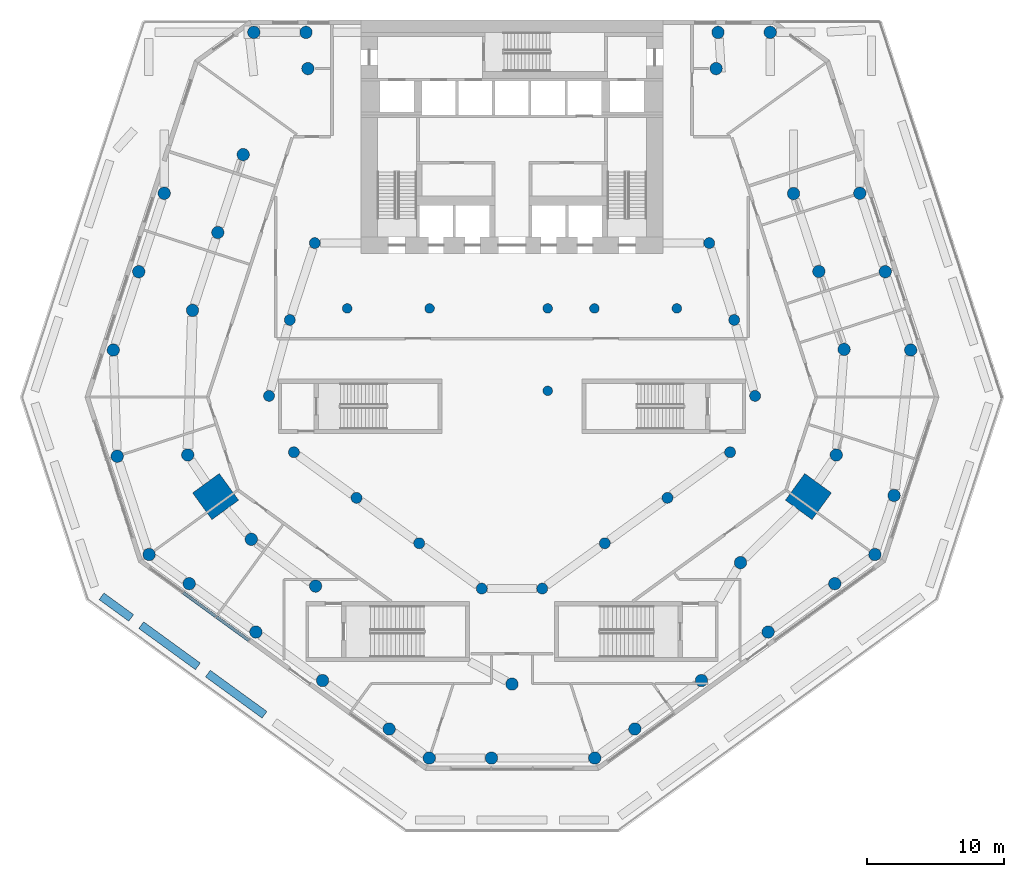
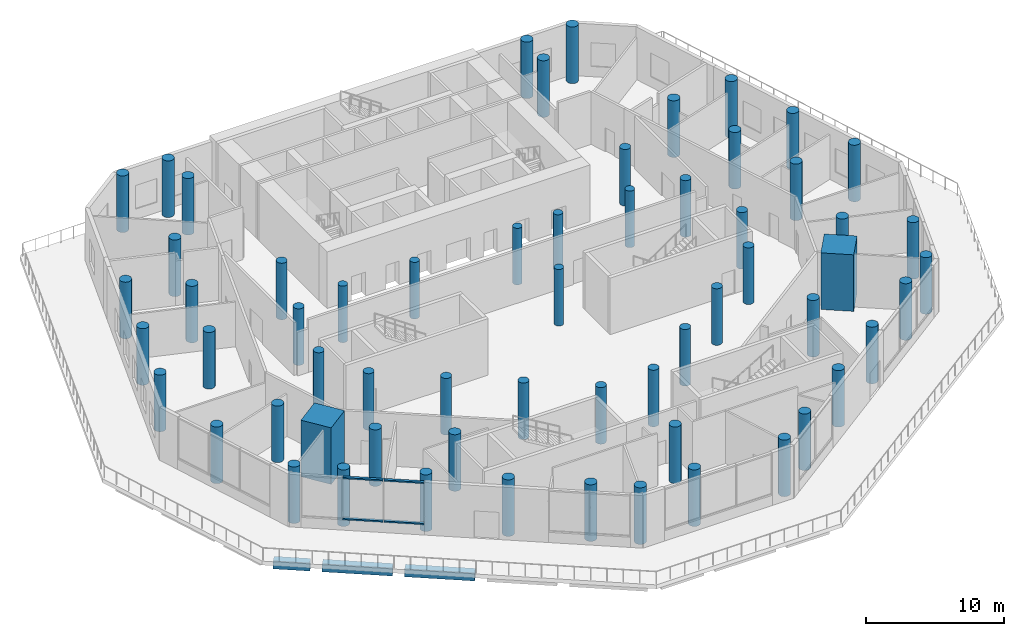
# One storey, part 1 of 19: 61 columns, 4 members, 3 beams, 1 element without a shape of its own.
"""IFC4 building model written with IfcOpenShell, lengths in metres."""

from ifc_helpers import new_model, si_unit, direction, frame, origin, origin_2d, place, context, subcontext, project, spatial, rectangle, circle, extrude, material, material_profile, profile_set, type_object, element, aggregate, save


model = new_model("IFC4")

# Units and contexts
model_context = context("Model", 3, precision=1e-05, world=origin(), true_north=direction((0.0, 1.0)))
body_context = subcontext(model_context, "Body", "Model", "MODEL_VIEW")
ifc_project = project(units=[si_unit("LENGTHUNIT", "METRE"), si_unit("AREAUNIT", "SQUARE_METRE"), si_unit("VOLUMEUNIT", "CUBIC_METRE"), si_unit("PLANEANGLEUNIT", "RADIAN"), si_unit("MASSUNIT", "GRAM", prefix="KILO")], contexts=[model_context])

# Site, building, storey
site_placement = place(None, origin())
site = spatial("IfcSite", under=ifc_project, at=site_placement, CompositionType="ELEMENT")
building_placement = place(site_placement, origin())
building = spatial("IfcBuilding", under=site, at=building_placement, Name="White Candle Pilgrim Tower", CompositionType="ELEMENT")
storey_placement = place(building_placement, frame((0.0, 0.0, 29.0)))
storey = spatial("IfcBuildingStorey", under=building, at=storey_placement, Name="L04", CompositionType="ELEMENT", Elevation=29.0)

# Columns
ifc_material_1 = material(Name="Concrete C80/95", Category="concrete")
ifc_material_profile_1 = material_profile(ifc_material_1, circle(Radius=0.35009765625, at=origin_2d()), Name="RC-COL D700")
ifc_profile_set_1 = profile_set([ifc_material_profile_1], Name="Concrete C80/95")
column_type_1 = type_object("IfcColumnType", Name="Interior column RC-COL D700 C80/95", PredefinedType="COLUMN", material=ifc_profile_set_1)
for number, where, z_axis, x_axis, name in (
    (1, (58.0, 67.0, 0.0), (0.0, 0.0, 1.0), (1.0, 0.0, 0.0), "L04 column I01"),
    (2, (64.0, 67.0, 0.0), (0.0, 0.0, 1.0), (1.0, 0.0, 0.0), "L04 column I02"),
    (3, (72.60009765625, 61.0, 0.0), (0.0, 0.0, 1.0), (1.0, 0.0, 0.0), "L04 column I03"),
    (4, (72.60009765625, 67.0, 0.0), (0.0, 0.0, 1.0), (1.0, 0.0, 0.0), "L04 column I04"),
    (5, (76.0, 67.0, 0.0), (0.0, 0.0, 1.0), (1.0, 0.0, 0.0), "L04 column I05"),
    (6, (82.0, 67.0, 0.0), (0.0, 0.0, 1.0), (1.0, 0.0, 0.0), "L04 column I06"),
):
    element("IfcColumn", number, at=place(storey_placement, frame(where, z_axis=z_axis, x_axis=x_axis)), inside=storey, type_object=column_type_1, Name=name, PredefinedType="COLUMN", context=body_context, shape_type="SweptSolid", body=[
        extrude(circle(Radius=0.35009765625, at=origin_2d()), origin(), (0.0, 0.0, 1.0), 5.0),
    ])
ifc_material_profile_2 = material_profile(ifc_material_1, rectangle(XDim=2.39990234375, YDim=2.39990234375, at=origin_2d()), Name="RC 2400x2400")
ifc_profile_set_2 = profile_set([ifc_material_profile_2], Name="Concrete C80/95")
column_type_2 = type_object("IfcColumnType", Name="Mega column RC 2400x2400 C80/95", PredefinedType="COLUMN", material=ifc_profile_set_2)
for number, where, z_axis, x_axis, name in (
    (7, (48.419921875, 53.300048828125, 0.0), (0.0, 0.0, 1.0), (-0.809016994375, -0.587785252292, 0.0), "L04 mega column T02"),
    (8, (91.580078125, 53.300048828125, 0.0), (0.0, 0.0, 1.0), (0.809016994375, -0.587785252292, 0.0), "L04 mega column T07"),
):
    element("IfcColumn", number, at=place(storey_placement, frame(where, z_axis=z_axis, x_axis=x_axis)), inside=storey, type_object=column_type_2, Name=name, PredefinedType="COLUMN", context=body_context, shape_type="SweptSolid", body=[
        extrude(rectangle(XDim=2.39990234375, YDim=2.39990234375, at=origin_2d()), origin(), (0.0, 0.0, 1.0), 5.0),
    ])
ifc_material_profile_3 = material_profile(ifc_material_1, circle(Radius=0.449951171875, at=origin_2d()), Name="RC-COL D900")
ifc_profile_set_3 = profile_set([ifc_material_profile_3], Name="Concrete C80/95")
column_type_3 = type_object("IfcColumnType", Name="Perimeter column RC-COL D900 C80/95", PredefinedType="COLUMN", material=ifc_profile_set_3)
for number, where, z_axis, x_axis, name in (
    (9, (46.389892578125, 56.330078125, 0.0), (0.0, 0.0, 1.0), (1.0, 0.0, 0.0), "L04 column T01"),
    (10, (51.02001953125, 50.18994140625, 0.0), (0.0, 0.0, 1.0), (1.0, 0.0, 0.0), "L04 column T03"),
    (11, (55.699951171875, 46.780029296875, 0.0), (0.0, 0.0, 1.0), (1.0, 0.0, 0.0), "L04 column T04"),
    (12, (70.0, 39.64990234375, 0.0), (0.0, 0.0, 1.0), (1.0, 0.0, 0.0), "L04 column T05"),
    (13, (86.639892578125, 48.489990234375, 0.0), (0.0, 0.0, 1.0), (1.0, 0.0, 0.0), "L04 column T06"),
    (14, (93.610107421875, 56.330078125, 0.0), (0.0, 0.0, 1.0), (1.0, 0.0, 0.0), "L04 column T08"),
    (15, (94.179931640625, 64.02001953125, 0.0), (0.0, 0.0, 1.0), (1.0, 0.0, 0.0), "L04 column T09"),
    (16, (92.340087890625, 69.68994140625, 0.0), (0.0, 0.0, 1.0), (1.0, 0.0, 0.0), "L04 column T10"),
    (17, (90.5, 75.360107421875, 0.0), (0.0, 0.0, 1.0), (1.0, 0.0, 0.0), "L04 column T11"),
    (18, (84.860107421875, 84.4599609375, 0.0), (0.0, 0.0, 1.0), (1.0, 0.0, 0.0), "L04 column T12"),
    (19, (55.139892578125, 84.4599609375, 0.0), (0.0, 0.0, 1.0), (1.0, 0.0, 0.0), "L04 column T13"),
    (20, (50.429931640625, 78.199951171875, 0.0), (0.0, 0.0, 1.0), (1.0, 0.0, 0.0), "L04 column T14"),
    (21, (48.580078125, 72.530029296875, 0.0), (0.0, 0.0, 1.0), (1.0, 0.0, 0.0), "L04 column T15"),
    (22, (46.739990234375, 66.860107421875, 0.0), (0.0, 0.0, 1.0), (1.0, 0.0, 0.0), "L04 column T16"),
    (23, (41.2529296875, 56.237060546875, 0.0), (0.0, 0.0, 1.0), (1.0, 0.0, 0.0), "L04 column C01"),
    (24, (43.577880859375, 49.0810546875, 0.0), (0.0, 0.0, 1.0), (1.0, 0.0, 0.0), "L04 column C02"),
    (25, (46.49609375, 46.9609375, 0.0), (0.0, 0.0, 1.0), (1.0, 0.0, 0.0), "L04 column C03"),
    (26, (51.35009765625, 43.43408203125, 0.0), (0.0, 0.0, 1.0), (1.0, 0.0, 0.0), "L04 column C04"),
    (27, (56.2041015625, 39.907958984375, 0.0), (0.0, 0.0, 1.0), (1.0, 0.0, 0.0), "L04 column C05"),
    (28, (61.05810546875, 36.381103515625, 0.0), (0.0, 0.0, 1.0), (1.0, 0.0, 0.0), "L04 column C06"),
    (29, (63.97607421875, 34.260986328125, 0.0), (0.0, 0.0, 1.0), (1.0, 0.0, 0.0), "L04 column C07"),
    (30, (68.5, 34.260986328125, 0.0), (0.0, 0.0, 1.0), (1.0, 0.0, 0.0), "L04 column C08"),
    (31, (76.02392578125, 34.260986328125, 0.0), (0.0, 0.0, 1.0), (1.0, 0.0, 0.0), "L04 column C09"),
    (32, (78.94189453125, 36.381103515625, 0.0), (0.0, 0.0, 1.0), (1.0, 0.0, 0.0), "L04 column C10"),
    (33, (83.7958984375, 39.907958984375, 0.0), (0.0, 0.0, 1.0), (1.0, 0.0, 0.0), "L04 column C11"),
    (34, (88.64990234375, 43.43408203125, 0.0), (0.0, 0.0, 1.0), (1.0, 0.0, 0.0), "L04 column C12"),
    (35, (93.50390625, 46.9609375, 0.0), (0.0, 0.0, 1.0), (1.0, 0.0, 0.0), "L04 column C13"),
    (36, (96.422119140625, 49.0810546875, 0.0), (0.0, 0.0, 1.0), (1.0, 0.0, 0.0), "L04 column C14"),
    (37, (97.820068359375, 53.384033203125, 0.0), (0.0, 0.0, 1.0), (1.0, 0.0, 0.0), "L04 column C15"),
    (38, (99.030029296875, 63.968994140625, 0.0), (0.0, 0.0, 1.0), (1.0, 0.0, 0.0), "L04 column C16"),
    (39, (97.176025390625, 69.676025390625, 0.0), (0.0, 0.0, 1.0), (1.0, 0.0, 0.0), "L04 column C17"),
    (40, (95.322021484375, 75.382080078125, 0.0), (0.0, 0.0, 1.0), (1.0, 0.0, 0.0), "L04 column C18"),
    (41, (88.800048828125, 87.10009765625, 0.0), (0.0, 0.0, 1.0), (1.0, 0.0, 0.0), "L04 column C19"),
    (42, (85.0, 87.10009765625, 0.0), (0.0, 0.0, 1.0), (1.0, 0.0, 0.0), "L04 column C20"),
    (43, (55.0, 87.10009765625, 0.0), (0.0, 0.0, 1.0), (1.0, 0.0, 0.0), "L04 column C21"),
    (44, (51.199951171875, 87.10009765625, 0.0), (0.0, 0.0, 1.0), (1.0, 0.0, 0.0), "L04 column C22"),
    (45, (44.677978515625, 75.382080078125, 0.0), (0.0, 0.0, 1.0), (1.0, 0.0, 0.0), "L04 column C23"),
    (46, (42.823974609375, 69.676025390625, 0.0), (0.0, 0.0, 1.0), (1.0, 0.0, 0.0), "L04 column C24"),
    (47, (40.969970703125, 63.968994140625, 0.0), (0.0, 0.0, 1.0), (1.0, 0.0, 0.0), "L04 column C25"),
):
    element("IfcColumn", number, at=place(storey_placement, frame(where, z_axis=z_axis, x_axis=x_axis)), inside=storey, type_object=column_type_3, Name=name, PredefinedType="COLUMN", context=body_context, shape_type="SweptSolid", body=[
        extrude(circle(Radius=0.449951171875, at=origin_2d()), origin(), (0.0, 0.0, 1.0), 5.0),
    ])
ifc_material_profile_4 = material_profile(ifc_material_1, circle(Radius=0.39990234375, at=origin_2d()), Name="RC-COL D800")
ifc_profile_set_4 = profile_set([ifc_material_profile_4], Name="Concrete C80/95")
column_type_4 = type_object("IfcColumnType", Name="Ring column RC-COL D800 C80/95", PredefinedType="COLUMN", material=ifc_profile_set_4)
for number, where, z_axis, x_axis, name in (
    (48, (52.31005859375, 60.6298828125, 0.0), (0.0, 0.0, 1.0), (1.0, 0.0, 0.0), "L04 column R01"),
    (49, (54.1201171875, 56.530029296875, 0.0), (0.0, 0.0, 1.0), (1.0, 0.0, 0.0), "L04 column R02"),
    (50, (58.679931640625, 53.2099609375, 0.0), (0.0, 0.0, 1.0), (1.0, 0.0, 0.0), "L04 column R03"),
    (51, (63.239990234375, 49.89990234375, 0.0), (0.0, 0.0, 1.0), (1.0, 0.0, 0.0), "L04 column R04"),
    (52, (67.800048828125, 46.60009765625, 0.0), (0.0, 0.0, 1.0), (1.0, 0.0, 0.0), "L04 column R05"),
    (53, (72.199951171875, 46.60009765625, 0.0), (0.0, 0.0, 1.0), (1.0, 0.0, 0.0), "L04 column R06"),
    (54, (76.760009765625, 49.89990234375, 0.0), (0.0, 0.0, 1.0), (1.0, 0.0, 0.0), "L04 column R07"),
    (55, (81.320068359375, 53.2099609375, 0.0), (0.0, 0.0, 1.0), (1.0, 0.0, 0.0), "L04 column R08"),
    (56, (85.8798828125, 56.530029296875, 0.0), (0.0, 0.0, 1.0), (1.0, 0.0, 0.0), "L04 column R09"),
    (57, (87.699951171875, 60.6298828125, 0.0), (0.0, 0.0, 1.0), (1.0, 0.0, 0.0), "L04 column R10"),
    (58, (86.179931640625, 66.159912109375, 0.0), (0.0, 0.0, 1.0), (1.0, 0.0, 0.0), "L04 column R11"),
    (59, (84.360107421875, 71.760009765625, 0.0), (0.0, 0.0, 1.0), (1.0, 0.0, 0.0), "L04 column R12"),
    (60, (55.639892578125, 71.760009765625, 0.0), (0.0, 0.0, 1.0), (1.0, 0.0, 0.0), "L04 column R13"),
    (61, (53.820068359375, 66.159912109375, 0.0), (0.0, 0.0, 1.0), (1.0, 0.0, 0.0), "L04 column R14"),
):
    element("IfcColumn", number, at=place(storey_placement, frame(where, z_axis=z_axis, x_axis=x_axis)), inside=storey, type_object=column_type_4, Name=name, PredefinedType="COLUMN", context=body_context, shape_type="SweptSolid", body=[
        extrude(circle(Radius=0.39990234375, at=origin_2d()), origin(), (0.0, 0.0, 1.0), 5.0),
    ])

# Curtain wall, members
ifc_material_2 = material(Name="Aluminium and glass", Category="aluminium")
curtain_wall_type = type_object("IfcCurtainWallType", Name="Curtain wall CW3 refectory and meeting glazing", PredefinedType="NOTDEFINED", material=ifc_material_2)
curtain_wall_placement = place(storey_placement, origin())
curtain_wall = element("IfcCurtainWall", 62, at=curtain_wall_placement, inside=storey, type_object=curtain_wall_type, Name="Curtain wall CW3 L04 SW", PredefinedType="NOTDEFINED")
ifc_material_3 = material(Name="Aluminium", Category="aluminium")
ifc_material_profile_5 = material_profile(ifc_material_3, rectangle(XDim=0.22509765625, YDim=0.1201171875, at=origin_2d()), Name="CW3 transom 120x225")
ifc_profile_set_5 = profile_set([ifc_material_profile_5], Name="Aluminium")
member_type = type_object("IfcMemberType", Name="CW3 transom 120x225", PredefinedType="USERDEFINED", material=ifc_profile_set_5)
member_1_placement = place(storey_placement, frame((46.057373046875, 46.306396484375, 0.9599609375), z_axis=(0.809016098264, -0.587786485682, 0.0), x_axis=(0.587786485682, 0.809016098264, 0.0)))
member_1 = element("IfcMember", 63, at=member_1_placement, type_object=member_type, Name="CW3 transom 2.1", ObjectType="TRANSOM", PredefinedType="USERDEFINED", context=body_context, shape_type="SweptSolid", body=[
    extrude(rectangle(XDim=0.22509765625, YDim=0.1201171875, at=origin_2d()), origin(), (0.0, 0.0, 1.0), 2.93994140625),
])
member_2_placement = place(storey_placement, frame((46.057373046875, 46.306396484375, 4.590087890625), z_axis=(0.809016098264, -0.587786485682, 0.0), x_axis=(0.587786485682, 0.809016098264, 0.0)))
member_2 = element("IfcMember", 64, at=member_2_placement, type_object=member_type, Name="CW3 transom 2.2", ObjectType="TRANSOM", PredefinedType="USERDEFINED", context=body_context, shape_type="SweptSolid", body=[
    extrude(rectangle(XDim=0.22509765625, YDim=0.1201171875, at=origin_2d()), origin(), (0.0, 0.0, 1.0), 2.93994140625),
])
member_3_placement = place(storey_placement, frame((48.484375, 44.543212890625, 0.9599609375), z_axis=(0.809018973085, -0.587782528822, 0.0), x_axis=(0.587782528822, 0.809018973085, 0.0)))
member_3 = element("IfcMember", 65, at=member_3_placement, type_object=member_type, Name="CW3 transom 3.1", ObjectType="TRANSOM", PredefinedType="USERDEFINED", context=body_context, shape_type="SweptSolid", body=[
    extrude(rectangle(XDim=0.22509765625, YDim=0.1201171875, at=origin_2d()), origin(), (0.0, 0.0, 1.0), 2.909912109375),
])
member_4_placement = place(storey_placement, frame((48.484375, 44.543212890625, 4.590087890625), z_axis=(0.809018973085, -0.587782528822, 0.0), x_axis=(0.587782528822, 0.809018973085, 0.0)))
member_4 = element("IfcMember", 66, at=member_4_placement, type_object=member_type, Name="CW3 transom 3.2", ObjectType="TRANSOM", PredefinedType="USERDEFINED", context=body_context, shape_type="SweptSolid", body=[
    extrude(rectangle(XDim=0.22509765625, YDim=0.1201171875, at=origin_2d()), origin(), (0.0, 0.0, 1.0), 2.909912109375),
])
aggregate(curtain_wall, [member_1, member_2, member_3, member_4])

# Beams
ifc_material_4 = material(Name="Concrete C50/60", Category="concrete")
ifc_material_profile_6 = material_profile(ifc_material_4, rectangle(XDim=0.60009765625, YDim=0.699951171875, at=origin_2d()), Name="RC-BM 600x700")
ifc_profile_set_6 = profile_set([ifc_material_profile_6], Name="Concrete C50/60")
beam_type = type_object("IfcBeamType", Name="Spandrel beam RC-BM 600x700 C50/60", PredefinedType="BEAM", material=ifc_profile_set_6)
beam_1_placement = place(storey_placement, frame((40.11376953125, 46.03564453125, -0.699951171875), z_axis=(0.808941690676, -0.587888884982, 0.0), x_axis=(0.587888884982, 0.808941690676, 0.0)))
element("IfcBeam", 67, at=beam_1_placement, inside=storey, type_object=beam_type, Name="L04 spandrel beam B04", PredefinedType="BEAM", context=body_context, shape_type="SweptSolid", body=[
    extrude(rectangle(XDim=0.60009765625, YDim=0.699951171875, at=origin_2d()), origin(), (0.0, 0.0, 1.0), 2.66943359375),
])
beam_2_placement = place(storey_placement, frame((43.0009765625, 43.937744140625, -0.699951171875), z_axis=(0.809112607881, -0.587653629078, 0.0), x_axis=(0.587653629078, 0.809112607881, 0.0)))
element("IfcBeam", 68, at=beam_2_placement, inside=storey, type_object=beam_type, Name="L04 spandrel beam B05", PredefinedType="BEAM", context=body_context, shape_type="SweptSolid", body=[
    extrude(rectangle(XDim=0.60009765625, YDim=0.699951171875, at=origin_2d()), origin(), (0.0, 0.0, 1.0), 5.100830078125),
])
beam_3_placement = place(storey_placement, frame((47.85595703125, 40.41162109375, -0.699951171875), z_axis=(0.808978190317, -0.587838657789, 0.0), x_axis=(0.587838657789, 0.808978190317, 0.0)))
element("IfcBeam", 69, at=beam_3_placement, inside=storey, type_object=beam_type, Name="L04 spandrel beam B06", PredefinedType="BEAM", context=body_context, shape_type="SweptSolid", body=[
    extrude(rectangle(XDim=0.60009765625, YDim=0.699951171875, at=origin_2d()), origin(), (0.0, 0.0, 1.0), 5.1005859375),
])

save(model, "model.ifc")
